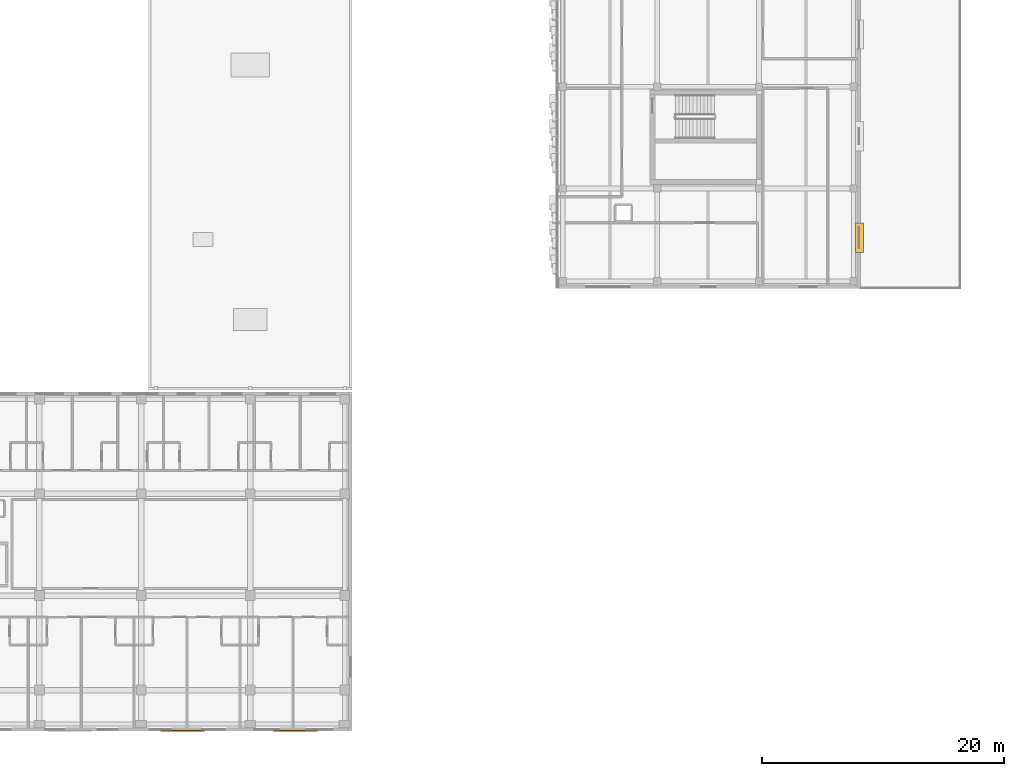
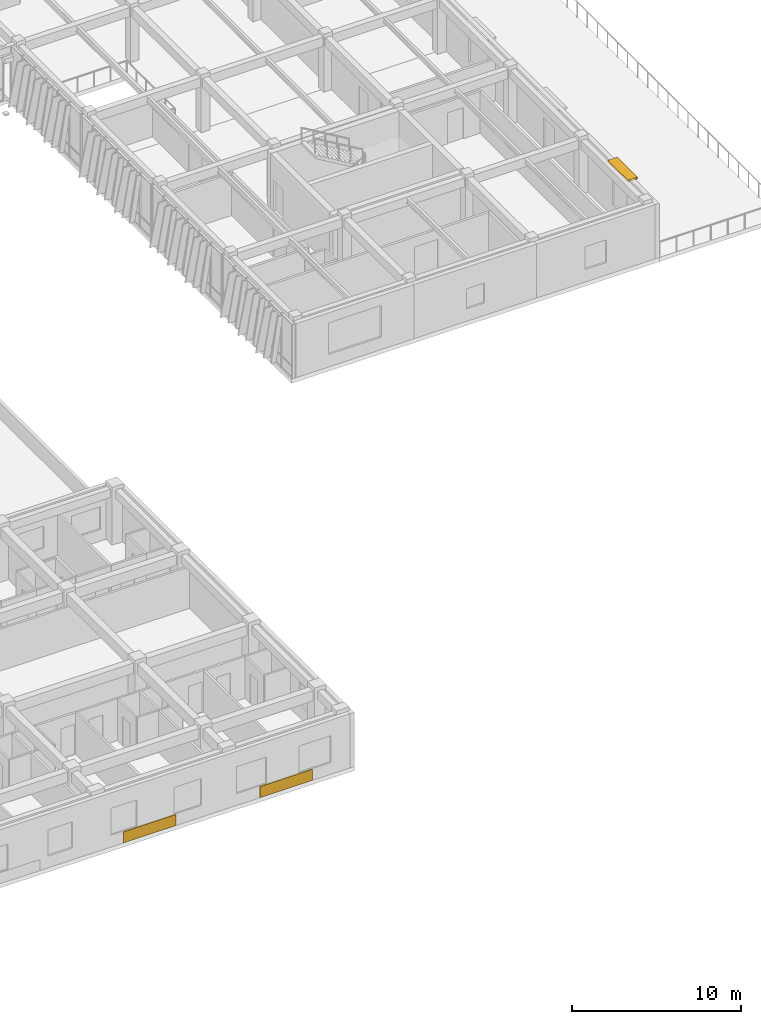
# One storey, part 118 of 127: 2 coverings, 1 shading device.
"""IFC4 building model written with IfcOpenShell, lengths in metres."""

from ifc_helpers import new_model, si_unit, direction, frame, origin, origin_2d, place, context, subcontext, project, spatial, rectangle, extrude, material, layer, layer_set, type_object, element, save


model = new_model("IFC4")

# Units and contexts
model_context = context("Model", 3, precision=1e-05, world=origin(), true_north=direction((0.0, 1.0)))
body_context = subcontext(model_context, "Body", "Model", "MODEL_VIEW")
ifc_project = project(units=[si_unit("LENGTHUNIT", "METRE"), si_unit("AREAUNIT", "SQUARE_METRE"), si_unit("VOLUMEUNIT", "CUBIC_METRE"), si_unit("PLANEANGLEUNIT", "RADIAN"), si_unit("MASSUNIT", "GRAM", prefix="KILO")], contexts=[model_context])

# Site, building, storey
site_placement = place(None, origin())
site = spatial("IfcSite", under=ifc_project, at=site_placement, CompositionType="ELEMENT")
building_placement = place(site_placement, origin())
building = spatial("IfcBuilding", under=site, at=building_placement, Name="Zayran Congress Hotel", CompositionType="ELEMENT")
storey_placement = place(building_placement, frame((0.0, 0.0, 10.800048828125)))
storey = spatial("IfcBuildingStorey", under=building, at=storey_placement, Name="L02", CompositionType="ELEMENT", Elevation=10.800048828125)

# Shading device
ifc_material_1 = material(Name="Precast concrete C40/50", Category="concrete")
shading_device_type = type_object("IfcShadingDeviceType", Name="TP-SHD-01", PredefinedType="JALOUSIE", material=ifc_material_1)
shading_device_placement = place(storey_placement, frame((134.300048828125, 46.739990234375, 3.77978515625), z_axis=(0.0, 0.0, 1.0), x_axis=(0.0, 1.0, 0.0)))
element("IfcShadingDevice", 1, at=shading_device_placement, inside=storey, type_object=shading_device_type, Name="Precast Brise Soleil Louvre 9", PredefinedType="JALOUSIE", context=body_context, shape_type="SweptSolid", body=[
    extrude(rectangle(XDim=2.39990234375, YDim=0.64990234375, at=origin_2d()), origin(), (0.0, 0.0, 1.0), 0.139892578125),
])

# Coverings
ifc_material_2 = material(Name="Ochre geometric bas-relief Hajar Ma'ani stone", Category="masonry")
ifc_layer = layer(ifc_material_2, 0.090087890625)
ifc_layer_set = layer_set([ifc_layer], Name="Ochre geometric bas-relief Hajar Ma'ani stone")
covering_type = type_object("IfcCoveringType", Name="TP-CLD-01", PredefinedType="CLADDING", material=ifc_layer_set)
for number, where, z_axis, x_axis, name in (
    (2, (78.39990234375, 6.044921875, 0.0), (0.0, 0.0, 1.0), (1.0, 0.0, 0.0), "CLD-V5S-L02-7"),
    (3, (87.73291015625, 6.044921875, 0.0), (0.0, 0.0, 1.0), (1.0, 0.0, 0.0), "CLD-V5S-L02-8"),
):
    element("IfcCovering", number, at=place(storey_placement, frame(where, z_axis=z_axis, x_axis=x_axis)), inside=storey, type_object=covering_type, Name=name, PredefinedType="CLADDING", context=body_context, shape_type="SweptSolid", body=[
        extrude(rectangle(XDim=3.60009765625, YDim=0.090087890625, at=origin_2d()), origin(), (0.0, 0.0, 1.0), 0.800048828125),
    ])

save(model, "model.ifc")
